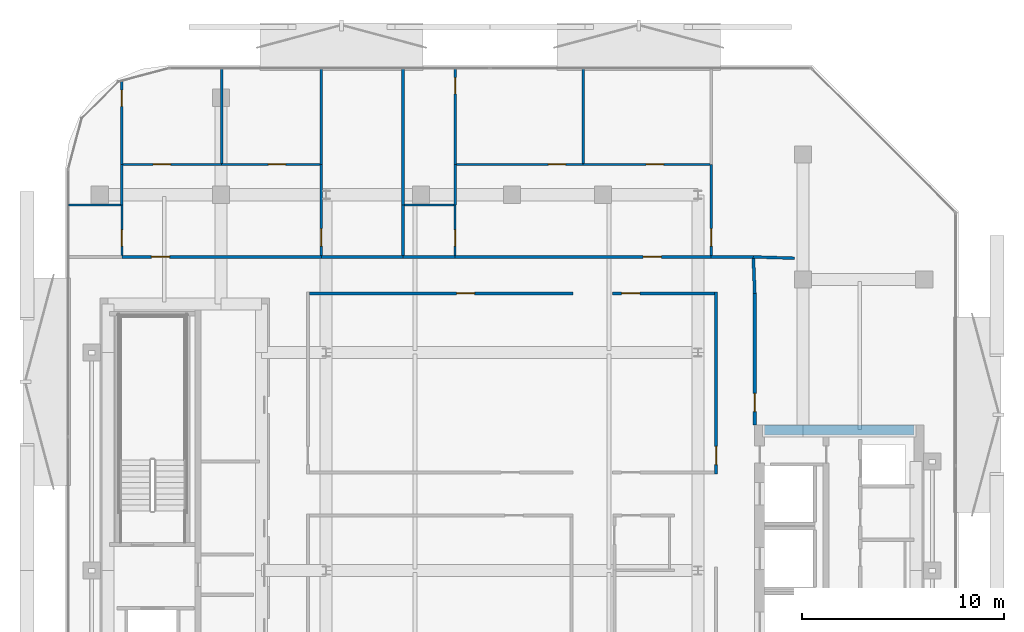
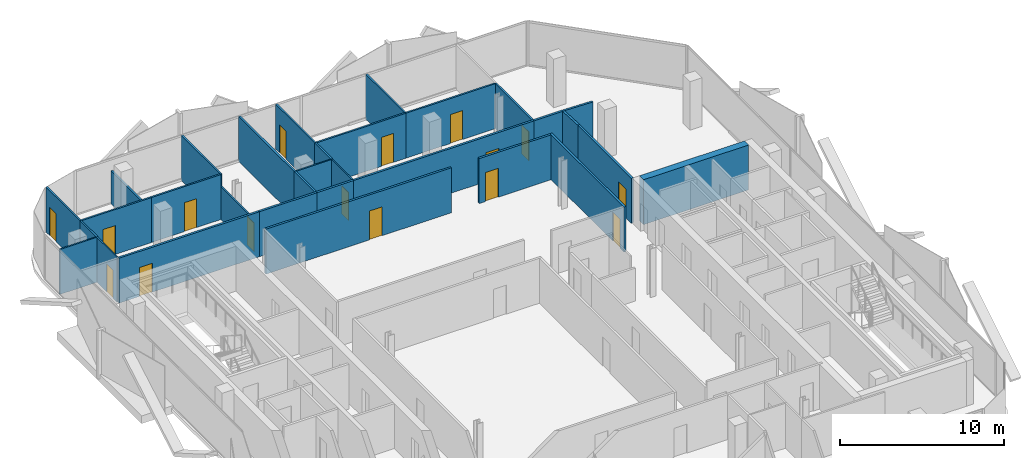
# One storey, part 6 of 15: 31 walls, 16 doors, 16 openings.
"""IFC4 building model written with IfcOpenShell, lengths in metres."""

from ifc_helpers import new_model, si_unit, direction, frame, frame_2d, origin, place, context, subcontext, project, spatial, rectangle, extrude, material, layer, layer_set, type_object, element, fill, save


model = new_model("IFC4")

# Units and contexts
model_context = context("Model", 3, precision=1e-05, world=origin(), true_north=direction((0.0, 1.0)))
body_context = subcontext(model_context, "Body", "Model", "MODEL_VIEW")
ifc_project = project(units=[si_unit("LENGTHUNIT", "METRE"), si_unit("AREAUNIT", "SQUARE_METRE"), si_unit("VOLUMEUNIT", "CUBIC_METRE"), si_unit("PLANEANGLEUNIT", "RADIAN"), si_unit("MASSUNIT", "GRAM", prefix="KILO")], contexts=[model_context])

# Site, building, storey
site_placement = place(None, origin())
site = spatial("IfcSite", under=ifc_project, at=site_placement, CompositionType="ELEMENT")
building_placement = place(site_placement, origin())
building = spatial("IfcBuilding", under=site, at=building_placement, Name="Khairoan Windgate Tower", CompositionType="ELEMENT")
storey_placement = place(building_placement, frame((0.0, 0.0, 254.800048828125)))
storey = spatial("IfcBuildingStorey", under=building, at=storey_placement, Name="L60", CompositionType="ELEMENT", Elevation=254.800048828125)

# Wall
ifc_material_1 = material(Name="Moisture-Resistant Gypsum Partition", Category="gypsum")
ifc_layer_1 = layer(ifc_material_1, 0.10009765625, Name="Moisture-Resistant Gypsum Partition")
ifc_layer_set_1 = layer_set([ifc_layer_1], Name="Moisture-Resistant Gypsum Partition")
wall_type_1 = type_object("IfcWallType", Name="Bathroom Wet-Area Partition Wall", PredefinedType="PARTITIONING", material=ifc_layer_set_1)
wall_1_placement = place(storey_placement, frame((-21.955078125, 18.10009765625, 0.0), z_axis=(0.0, 0.0, 1.0), x_axis=(1.0, 0.0, 0.0)))
element("IfcWall", 1, at=wall_1_placement, inside=storey, type_object=wall_type_1, Name="L60 Interior Partition 041", PredefinedType="PARTITIONING", context=body_context, shape_type="SweptSolid", body=[
    extrude(rectangle(XDim=2.594970703125, YDim=0.10009765625, at=frame_2d((1.29736328125, 0.0))), origin(), (0.0, 0.0, 1.0), 3.33984375),
])

# Wall, opening, door
wall_2_placement = place(storey_placement, frame((-19.31005859375, 15.60009765625, 0.0), z_axis=(0.0, 0.0, 1.0), x_axis=(0.0, 1.0, 0.0)))
wall_2 = element("IfcWall", 2, at=wall_2_placement, inside=storey, type_object=wall_type_1, Name="L60 Interior Partition 042", PredefinedType="PARTITIONING", context=body_context, shape_type="SweptSolid", body=[
    extrude(rectangle(XDim=2.5, YDim=0.10009765625, at=frame_2d((1.25, 0.0))), origin(), (0.0, 0.0, 1.0), 3.33984375),
])
opening_1_placement = place(wall_2_placement, frame((0.4599609375, 0.0, 0.0)))
opening_1 = element("IfcOpeningElement", 3, at=opening_1_placement, cuts=wall_2, Name="Opening ID-BTH", PredefinedType="OPENING", context=body_context, shape_type="SweptSolid", body=[
    extrude(rectangle(XDim=0.800048828125, YDim=2.10009765625, at=frame_2d((0.39990234375, 1.050048828125))), frame((0.0, 0.06005859375, 0.0), z_axis=(0.0, -1.0, 0.0), x_axis=(1.0, 0.0, 0.0)), (0.0, 0.0, 1.0), 0.1201171875),
])
ifc_material_2 = material(Name="Teak Veneer Timber Leaf", Category="wood")
door_type_1 = type_object("IfcDoorType", Name="Internal Bathroom Door ID-BTH 800x2100", OperationType="NOTDEFINED", PredefinedType="DOOR", material=ifc_material_2)
door_1_placement = place(opening_1_placement, origin())
door_1 = element("IfcDoor", 4, at=door_1_placement, inside=storey, type_object=door_type_1, Name="L60 L60-33-L60-35 Door", OperationType="SINGLE_SWING_LEFT", OverallHeight=2.10009765625, OverallWidth=0.800048828125, PredefinedType="DOOR", context=body_context, shape_type="SweptSolid", body=[
    extrude(rectangle(XDim=0.800048828125, YDim=2.10009765625, at=frame_2d((0.39990234375, 1.050048828125))), frame((0.0, 0.02490234375, 0.0), z_axis=(0.0, -1.0, 0.0), x_axis=(1.0, 0.0, 0.0)), (0.0, 0.0, 1.0), 0.050048828125),
])
fill(opening_1, door_1)

# Wall
wall_3_placement = place(storey_placement, frame((-5.330078125, 18.10009765625, 0.0), z_axis=(0.0, 0.0, 1.0), x_axis=(1.0, 0.0, 0.0)))
element("IfcWall", 5, at=wall_3_placement, inside=storey, type_object=wall_type_1, Name="L60 Interior Partition 052", PredefinedType="PARTITIONING", context=body_context, shape_type="SweptSolid", body=[
    extrude(rectangle(XDim=2.469970703125, YDim=0.10009765625, at=frame_2d((1.23486328125, 0.0))), origin(), (0.0, 0.0, 1.0), 3.33984375),
])

# Wall, opening, door
wall_4_placement = place(storey_placement, frame((-2.81005859375, 15.60009765625, 0.0), z_axis=(0.0, 0.0, 1.0), x_axis=(0.0, 1.0, 0.0)))
wall_4 = element("IfcWall", 6, at=wall_4_placement, inside=storey, type_object=wall_type_1, Name="L60 Interior Partition 053", PredefinedType="PARTITIONING", context=body_context, shape_type="SweptSolid", body=[
    extrude(rectangle(XDim=2.5, YDim=0.10009765625, at=frame_2d((1.25, 0.0))), origin(), (0.0, 0.0, 1.0), 3.33984375),
])
opening_2_placement = place(wall_4_placement, frame((0.4599609375, 0.0, 0.0)))
opening_2 = element("IfcOpeningElement", 7, at=opening_2_placement, cuts=wall_4, Name="Opening ID-BTH", PredefinedType="OPENING", context=body_context, shape_type="SweptSolid", body=[
    extrude(rectangle(XDim=0.800048828125, YDim=2.10009765625, at=frame_2d((0.39990234375, 1.050048828125))), frame((0.0, 0.06005859375, 0.0), z_axis=(0.0, -1.0, 0.0), x_axis=(1.0, 0.0, 0.0)), (0.0, 0.0, 1.0), 0.1201171875),
])
door_2_placement = place(opening_2_placement, origin())
door_2 = element("IfcDoor", 8, at=door_2_placement, inside=storey, type_object=door_type_1, Name="L60 L60-39-L60-41 Door", OperationType="SINGLE_SWING_RIGHT", OverallHeight=2.10009765625, OverallWidth=0.800048828125, PredefinedType="DOOR", context=body_context, shape_type="SweptSolid", body=[
    extrude(rectangle(XDim=0.800048828125, YDim=2.10009765625, at=frame_2d((0.39990234375, 1.050048828125))), frame((0.0, 0.02490234375, 0.0), z_axis=(0.0, -1.0, 0.0), x_axis=(1.0, 0.0, 0.0)), (0.0, 0.0, 1.0), 0.050048828125),
])
fill(opening_2, door_2)

# Walls
ifc_material_3 = material(Name="Acoustic Fire-Rated Gypsum Partition", Category="gypsum")
ifc_layer_2 = layer(ifc_material_3, 0.139892578125, Name="Acoustic Fire-Rated Gypsum Partition")
ifc_layer_set_2 = layer_set([ifc_layer_2], Name="Acoustic Fire-Rated Gypsum Partition")
wall_type_2 = type_object("IfcWallType", Name="Inter-Tenancy Compartment Wall", PredefinedType="PARTITIONING", material=ifc_layer_set_2)
wall_5_placement = place(storey_placement, frame((-5.39990234375, 15.60009765625, 0.0), z_axis=(0.0, 0.0, 1.0), x_axis=(0.0, 1.0, 0.0)))
element("IfcWall", 9, at=wall_5_placement, inside=storey, type_object=wall_type_2, Name="L60 Interior Partition 049", PredefinedType="PARTITIONING", context=body_context, shape_type="SweptSolid", body=[
    extrude(rectangle(XDim=2.5, YDim=0.139892578125, at=frame_2d((1.25, 0.0))), origin(), (0.0, 0.0, 1.0), 3.33984375),
])
wall_6_placement = place(storey_placement, frame((-5.39990234375, 18.10009765625, 0.0), z_axis=(0.0, 0.0, 1.0), x_axis=(0.0, 1.0, 0.0)))
element("IfcWall", 10, at=wall_6_placement, inside=storey, type_object=wall_type_2, Name="L60 Interior Partition 050", PredefinedType="PARTITIONING", context=body_context, shape_type="SweptSolid", body=[
    extrude(rectangle(XDim=6.7548828125, YDim=0.139892578125, at=frame_2d((3.37744140625, 0.0))), origin(), (0.0, 0.0, 1.0), 3.33984375),
])
wall_7_placement = place(storey_placement, frame((11.93994140625, 15.52490234375, 0.0), z_axis=(0.0, 0.0, 1.0), x_axis=(0.999493701671, -0.031817295912, 0.0)))
element("IfcWall", 11, at=wall_7_placement, inside=storey, type_object=wall_type_2, Name="L60 Interior Partition 060", PredefinedType="PARTITIONING", context=body_context, shape_type="SweptSolid", body=[
    extrude(rectangle(XDim=2.041015625, YDim=0.139892578125, at=frame_2d((1.0205078125, 0.0))), origin(), (0.0, 0.0, 1.0), 3.33984375),
])
ifc_material_4 = material(Name="Gypsum Stud Partition", Category="gypsum")
ifc_layer_3 = layer(ifc_material_4, 0.1201171875, Name="Gypsum Stud Partition")
ifc_layer_set_3 = layer_set([ifc_layer_3], Name="Gypsum Stud Partition")
wall_type_3 = type_object("IfcWallType", Name="Internal Room Partition Wall", PredefinedType="PARTITIONING", material=ifc_layer_set_3)
wall_8_placement = place(storey_placement, frame((-19.31005859375, 18.10009765625, 0.0), z_axis=(0.0, 0.0, 1.0), x_axis=(0.0, 1.0, 0.0)))
element("IfcWall", 12, at=wall_8_placement, inside=storey, type_object=wall_type_3, Name="L60 Interior Partition 043", PredefinedType="PARTITIONING", context=body_context, shape_type="SweptSolid", body=[
    extrude(rectangle(XDim=2.0, YDim=0.1201171875, at=frame_2d((1.0, 0.0))), origin(), (0.0, 0.0, 1.0), 3.33984375),
])

# Wall, opening, door
wall_9_placement = place(storey_placement, frame((-19.31005859375, 20.10009765625, 0.0), z_axis=(0.0, 0.0, 1.0), x_axis=(0.0, 1.0, 0.0)))
wall_9 = element("IfcWall", 13, at=wall_9_placement, inside=storey, type_object=wall_type_3, Name="L60 Interior Partition 044", PredefinedType="PARTITIONING", context=body_context, shape_type="SweptSolid", body=[
    extrude(rectangle(XDim=4.134521484375, YDim=0.1201171875, at=frame_2d((2.0673828125, 0.0))), origin(), (0.0, 0.0, 1.0), 3.33984375),
])
opening_3_placement = place(wall_9_placement, frame((2.874755859375, 0.0, 0.0)))
opening_3 = element("IfcOpeningElement", 14, at=opening_3_placement, cuts=wall_9, Name="Opening ID-BTH", PredefinedType="OPENING", context=body_context, shape_type="SweptSolid", body=[
    extrude(rectangle(XDim=0.800048828125, YDim=2.10009765625, at=frame_2d((0.39990234375, 1.050048828125))), frame((0.0, 0.070068359375, 0.0), z_axis=(0.0, -1.0, 0.0), x_axis=(1.0, 0.0, 0.0)), (0.0, 0.0, 1.0), 0.14013671875),
])
door_3_placement = place(opening_3_placement, origin())
door_3 = element("IfcDoor", 15, at=door_3_placement, inside=storey, type_object=door_type_1, Name="L60 L60-34-L60-37 Door", OperationType="SINGLE_SWING_LEFT", OverallHeight=2.10009765625, OverallWidth=0.800048828125, PredefinedType="DOOR", context=body_context, shape_type="SweptSolid", body=[
    extrude(rectangle(XDim=0.800048828125, YDim=2.10009765625, at=frame_2d((0.39990234375, 1.050048828125))), frame((0.0, 0.02490234375, 0.0), z_axis=(0.0, -1.0, 0.0), x_axis=(1.0, 0.0, 0.0)), (0.0, 0.0, 1.0), 0.050048828125),
])
fill(opening_3, door_3)

wall_10_placement = place(storey_placement, frame((-9.43994140625, 15.60009765625, 0.0), z_axis=(0.0, 0.0, 1.0), x_axis=(0.0, 1.0, 0.0)))
wall_10 = element("IfcWall", 16, at=wall_10_placement, inside=storey, type_object=wall_type_3, Name="L60 Interior Partition 045", PredefinedType="PARTITIONING", context=body_context, shape_type="SweptSolid", body=[
    extrude(rectangle(XDim=4.5, YDim=0.1201171875, at=frame_2d((2.25, 0.0))), origin(), (0.0, 0.0, 1.0), 2.43994140625),
])
opening_4_placement = place(wall_10_placement, frame((0.4599609375, 0.0, 0.0)))
opening_4 = element("IfcOpeningElement", 17, at=opening_4_placement, cuts=wall_10, Name="Opening ID-RM", PredefinedType="OPENING", context=body_context, shape_type="SweptSolid", body=[
    extrude(rectangle(XDim=0.860107421875, YDim=2.14990234375, at=frame_2d((0.43017578125, 1.074951171875))), frame((0.0, 0.070068359375, 0.0), z_axis=(0.0, -1.0, 0.0), x_axis=(1.0, 0.0, 0.0)), (0.0, 0.0, 1.0), 0.14013671875),
])
ifc_material_5 = material(Name="Teak Veneer Timber Leaf", Category="wood")
door_type_2 = type_object("IfcDoorType", Name="Internal Bedroom and Office Door ID-RM 860x2150", OperationType="NOTDEFINED", PredefinedType="DOOR", material=ifc_material_5)
door_4_placement = place(opening_4_placement, origin())
door_4 = element("IfcDoor", 18, at=door_4_placement, inside=storey, type_object=door_type_2, Name="L60 L60-35-L60-36 Door", OperationType="SINGLE_SWING_LEFT", OverallHeight=2.14990234375, OverallWidth=0.860107421875, PredefinedType="DOOR", context=body_context, shape_type="SweptSolid", body=[
    extrude(rectangle(XDim=0.860107421875, YDim=2.14990234375, at=frame_2d((0.43017578125, 1.074951171875))), frame((0.0, 0.02490234375, 0.0), z_axis=(0.0, -1.0, 0.0), x_axis=(1.0, 0.0, 0.0)), (0.0, 0.0, 1.0), 0.050048828125),
])
fill(opening_4, door_4)

wall_11_placement = place(storey_placement, frame((-19.25, 20.10009765625, 0.0), z_axis=(0.0, 0.0, 1.0), x_axis=(1.0, 0.0, 0.0)))
wall_11 = element("IfcWall", 19, at=wall_11_placement, inside=storey, type_object=wall_type_3, Name="L60 Interior Partition 046", PredefinedType="PARTITIONING", context=body_context, shape_type="SweptSolid", body=[
    extrude(rectangle(XDim=4.875, YDim=0.1201171875, at=frame_2d((2.4375, 0.0))), origin(), (0.0, 0.0, 1.0), 3.33984375),
])
opening_5_placement = place(wall_11_placement, frame((1.49169921875, 0.0, 0.0)))
opening_5 = element("IfcOpeningElement", 20, at=opening_5_placement, cuts=wall_11, Name="Opening ID-RM", PredefinedType="OPENING", context=body_context, shape_type="SweptSolid", body=[
    extrude(rectangle(XDim=0.860107421875, YDim=2.14990234375, at=frame_2d((0.43017578125, 1.074951171875))), frame((0.0, 0.070068359375, 0.0), z_axis=(0.0, -1.0, 0.0), x_axis=(1.0, 0.0, 0.0)), (0.0, 0.0, 1.0), 0.14013671875),
])
door_5_placement = place(opening_5_placement, origin())
door_5 = element("IfcDoor", 21, at=door_5_placement, inside=storey, type_object=door_type_2, Name="L60 L60-35-L60-37 Door", OperationType="SINGLE_SWING_RIGHT", OverallHeight=2.14990234375, OverallWidth=0.860107421875, PredefinedType="DOOR", context=body_context, shape_type="SweptSolid", body=[
    extrude(rectangle(XDim=0.860107421875, YDim=2.14990234375, at=frame_2d((0.43017578125, 1.074951171875))), frame((0.0, 0.02490234375, 0.0), z_axis=(0.0, -1.0, 0.0), x_axis=(1.0, 0.0, 0.0)), (0.0, 0.0, 1.0), 0.050048828125),
])
fill(opening_5, door_5)

wall_12_placement = place(storey_placement, frame((-14.375, 20.10009765625, 0.0), z_axis=(0.0, 0.0, 1.0), x_axis=(1.0, 0.0, 0.0)))
wall_12 = element("IfcWall", 22, at=wall_12_placement, inside=storey, type_object=wall_type_3, Name="L60 Interior Partition 047", PredefinedType="PARTITIONING", context=body_context, shape_type="SweptSolid", body=[
    extrude(rectangle(XDim=4.875, YDim=0.1201171875, at=frame_2d((2.4375, 0.0))), origin(), (0.0, 0.0, 1.0), 3.33984375),
])
opening_6_placement = place(wall_12_placement, frame((2.31689453125, 0.0, 0.0)))
opening_6 = element("IfcOpeningElement", 23, at=opening_6_placement, cuts=wall_12, Name="Opening ID-RM", PredefinedType="OPENING", context=body_context, shape_type="SweptSolid", body=[
    extrude(rectangle(XDim=0.860107421875, YDim=2.14990234375, at=frame_2d((0.43017578125, 1.074951171875))), frame((0.0, 0.070068359375, 0.0), z_axis=(0.0, -1.0, 0.0), x_axis=(1.0, 0.0, 0.0)), (0.0, 0.0, 1.0), 0.14013671875),
])
door_6_placement = place(opening_6_placement, origin())
door_6 = element("IfcDoor", 24, at=door_6_placement, inside=storey, type_object=door_type_2, Name="L60 L60-35-L60-38 Door", OperationType="SINGLE_SWING_LEFT", OverallHeight=2.14990234375, OverallWidth=0.860107421875, PredefinedType="DOOR", context=body_context, shape_type="SweptSolid", body=[
    extrude(rectangle(XDim=0.860107421875, YDim=2.14990234375, at=frame_2d((0.43017578125, 1.074951171875))), frame((0.0, 0.02490234375, 0.0), z_axis=(0.0, -1.0, 0.0), x_axis=(1.0, 0.0, 0.0)), (0.0, 0.0, 1.0), 0.050048828125),
])
fill(opening_6, door_6)

# Walls
wall_13_placement = place(storey_placement, frame((-9.43994140625, 20.10009765625, 0.0), z_axis=(0.0, 0.0, 1.0), x_axis=(0.0, 1.0, 0.0)))
element("IfcWall", 25, at=wall_13_placement, inside=storey, type_object=wall_type_3, Name="L60 Interior Partition 048", PredefinedType="PARTITIONING", context=body_context, shape_type="SweptSolid", body=[
    extrude(rectangle(XDim=4.7548828125, YDim=0.1201171875, at=frame_2d((2.37744140625, 0.0))), origin(), (0.0, 0.0, 1.0), 3.33984375),
])
wall_14_placement = place(storey_placement, frame((-14.375, 20.159912109375, 0.0), z_axis=(0.0, 0.0, 1.0), x_axis=(0.0, 1.0, 0.0)))
element("IfcWall", 26, at=wall_14_placement, inside=storey, type_object=wall_type_3, Name="L60 Interior Partition 051", PredefinedType="PARTITIONING", context=body_context, shape_type="SweptSolid", body=[
    extrude(rectangle(XDim=4.695068359375, YDim=0.1201171875, at=frame_2d((2.34765625, 0.0))), origin(), (0.0, 0.0, 1.0), 2.43994140625),
])
wall_15_placement = place(storey_placement, frame((-2.81005859375, 18.10009765625, 0.0), z_axis=(0.0, 0.0, 1.0), x_axis=(0.0, 1.0, 0.0)))
element("IfcWall", 27, at=wall_15_placement, inside=storey, type_object=wall_type_3, Name="L60 Interior Partition 054", PredefinedType="PARTITIONING", context=body_context, shape_type="SweptSolid", body=[
    extrude(rectangle(XDim=2.0, YDim=0.1201171875, at=frame_2d((1.0, 0.0))), origin(), (0.0, 0.0, 1.0), 3.33984375),
])

# Wall, opening, door
wall_16_placement = place(storey_placement, frame((-2.81005859375, 20.10009765625, 0.0), z_axis=(0.0, 0.0, 1.0), x_axis=(0.0, 1.0, 0.0)))
wall_16 = element("IfcWall", 28, at=wall_16_placement, inside=storey, type_object=wall_type_3, Name="L60 Interior Partition 055", PredefinedType="PARTITIONING", context=body_context, shape_type="SweptSolid", body=[
    extrude(rectangle(XDim=4.7548828125, YDim=0.1201171875, at=frame_2d((2.37744140625, 0.0))), origin(), (0.0, 0.0, 1.0), 3.33984375),
])
opening_7_placement = place(wall_16_placement, frame((3.4951171875, 0.0, 0.0)))
opening_7 = element("IfcOpeningElement", 29, at=opening_7_placement, cuts=wall_16, Name="Opening ID-BTH", PredefinedType="OPENING", context=body_context, shape_type="SweptSolid", body=[
    extrude(rectangle(XDim=0.800048828125, YDim=2.10009765625, at=frame_2d((0.39990234375, 1.050048828125))), frame((0.0, 0.070068359375, 0.0), z_axis=(0.0, -1.0, 0.0), x_axis=(1.0, 0.0, 0.0)), (0.0, 0.0, 1.0), 0.14013671875),
])
door_7_placement = place(opening_7_placement, origin())
door_7 = element("IfcDoor", 30, at=door_7_placement, inside=storey, type_object=door_type_1, Name="L60 L60-40-L60-43 Door", OperationType="SINGLE_SWING_RIGHT", OverallHeight=2.10009765625, OverallWidth=0.800048828125, PredefinedType="DOOR", context=body_context, shape_type="SweptSolid", body=[
    extrude(rectangle(XDim=0.800048828125, YDim=2.10009765625, at=frame_2d((0.39990234375, 1.050048828125))), frame((0.0, 0.02490234375, 0.0), z_axis=(0.0, -1.0, 0.0), x_axis=(1.0, 0.0, 0.0)), (0.0, 0.0, 1.0), 0.050048828125),
])
fill(opening_7, door_7)

wall_17_placement = place(storey_placement, frame((9.860107421875, 15.60009765625, 0.0), z_axis=(0.0, 0.0, 1.0), x_axis=(0.0, 1.0, 0.0)))
wall_17 = element("IfcWall", 31, at=wall_17_placement, inside=storey, type_object=wall_type_3, Name="L60 Interior Partition 056", PredefinedType="PARTITIONING", context=body_context, shape_type="SweptSolid", body=[
    extrude(rectangle(XDim=4.5, YDim=0.1201171875, at=frame_2d((2.25, 0.0))), origin(), (0.0, 0.0, 1.0), 3.33984375),
])
opening_8_placement = place(wall_17_placement, frame((0.4599609375, 0.0, 0.0)))
opening_8 = element("IfcOpeningElement", 32, at=opening_8_placement, cuts=wall_17, Name="Opening ID-RM", PredefinedType="OPENING", context=body_context, shape_type="SweptSolid", body=[
    extrude(rectangle(XDim=0.860107421875, YDim=2.14990234375, at=frame_2d((0.43017578125, 1.074951171875))), frame((0.0, 0.070068359375, 0.0), z_axis=(0.0, -1.0, 0.0), x_axis=(1.0, 0.0, 0.0)), (0.0, 0.0, 1.0), 0.14013671875),
])
door_8_placement = place(opening_8_placement, origin())
door_8 = element("IfcDoor", 33, at=door_8_placement, inside=storey, type_object=door_type_2, Name="L60 L60-41-L60-42 Door", OperationType="SINGLE_SWING_RIGHT", OverallHeight=2.14990234375, OverallWidth=0.860107421875, PredefinedType="DOOR", context=body_context, shape_type="SweptSolid", body=[
    extrude(rectangle(XDim=0.860107421875, YDim=2.14990234375, at=frame_2d((0.43017578125, 1.074951171875))), frame((0.0, 0.02490234375, 0.0), z_axis=(0.0, -1.0, 0.0), x_axis=(1.0, 0.0, 0.0)), (0.0, 0.0, 1.0), 0.050048828125),
])
fill(opening_8, door_8)

wall_18_placement = place(storey_placement, frame((-2.75, 20.10009765625, 0.0), z_axis=(0.0, 0.0, 1.0), x_axis=(1.0, 0.0, 0.0)))
wall_18 = element("IfcWall", 34, at=wall_18_placement, inside=storey, type_object=wall_type_3, Name="L60 Interior Partition 057", PredefinedType="PARTITIONING", context=body_context, shape_type="SweptSolid", body=[
    extrude(rectangle(XDim=6.27490234375, YDim=0.1201171875, at=frame_2d((3.137451171875, 0.0))), origin(), (0.0, 0.0, 1.0), 3.33984375),
])
opening_9_placement = place(wall_18_placement, frame((4.54638671875, 0.0, 0.0)))
opening_9 = element("IfcOpeningElement", 35, at=opening_9_placement, cuts=wall_18, Name="Opening ID-RM", PredefinedType="OPENING", context=body_context, shape_type="SweptSolid", body=[
    extrude(rectangle(XDim=0.860107421875, YDim=2.14990234375, at=frame_2d((0.43017578125, 1.074951171875))), frame((0.0, 0.070068359375, 0.0), z_axis=(0.0, -1.0, 0.0), x_axis=(1.0, 0.0, 0.0)), (0.0, 0.0, 1.0), 0.14013671875),
])
door_9_placement = place(opening_9_placement, origin())
door_9 = element("IfcDoor", 36, at=door_9_placement, inside=storey, type_object=door_type_2, Name="L60 L60-41-L60-43 Door", OperationType="SINGLE_SWING_LEFT", OverallHeight=2.14990234375, OverallWidth=0.860107421875, PredefinedType="DOOR", context=body_context, shape_type="SweptSolid", body=[
    extrude(rectangle(XDim=0.860107421875, YDim=2.14990234375, at=frame_2d((0.43017578125, 1.074951171875))), frame((0.0, 0.02490234375, 0.0), z_axis=(0.0, -1.0, 0.0), x_axis=(1.0, 0.0, 0.0)), (0.0, 0.0, 1.0), 0.050048828125),
])
fill(opening_9, door_9)

wall_19_placement = place(storey_placement, frame((3.52490234375, 20.10009765625, 0.0), z_axis=(0.0, 0.0, 1.0), x_axis=(1.0, 0.0, 0.0)))
wall_19 = element("IfcWall", 37, at=wall_19_placement, inside=storey, type_object=wall_type_3, Name="L60 Interior Partition 058", PredefinedType="PARTITIONING", context=body_context, shape_type="SweptSolid", body=[
    extrude(rectangle(XDim=6.275146484375, YDim=0.1201171875, at=frame_2d((3.1376953125, 0.0))), origin(), (0.0, 0.0, 1.0), 3.33984375),
])
opening_10_placement = place(wall_19_placement, frame((3.1162109375, 0.0, 0.0)))
opening_10 = element("IfcOpeningElement", 38, at=opening_10_placement, cuts=wall_19, Name="Opening ID-RM", PredefinedType="OPENING", context=body_context, shape_type="SweptSolid", body=[
    extrude(rectangle(XDim=0.860107421875, YDim=2.14990234375, at=frame_2d((0.43017578125, 1.074951171875))), frame((0.0, 0.070068359375, 0.0), z_axis=(0.0, -1.0, 0.0), x_axis=(1.0, 0.0, 0.0)), (0.0, 0.0, 1.0), 0.14013671875),
])
door_10_placement = place(opening_10_placement, origin())
door_10 = element("IfcDoor", 39, at=door_10_placement, inside=storey, type_object=door_type_2, Name="L60 L60-41-L60-44 Door", OperationType="SINGLE_SWING_RIGHT", OverallHeight=2.14990234375, OverallWidth=0.860107421875, PredefinedType="DOOR", context=body_context, shape_type="SweptSolid", body=[
    extrude(rectangle(XDim=0.860107421875, YDim=2.14990234375, at=frame_2d((0.43017578125, 1.074951171875))), frame((0.0, 0.02490234375, 0.0), z_axis=(0.0, -1.0, 0.0), x_axis=(1.0, 0.0, 0.0)), (0.0, 0.0, 1.0), 0.050048828125),
])
fill(opening_10, door_10)

# Wall
wall_20_placement = place(storey_placement, frame((3.52490234375, 20.159912109375, 0.0), z_axis=(0.0, 0.0, 1.0), x_axis=(0.0, 1.0, 0.0)))
element("IfcWall", 40, at=wall_20_placement, inside=storey, type_object=wall_type_3, Name="L60 Interior Partition 061", PredefinedType="PARTITIONING", context=body_context, shape_type="SweptSolid", body=[
    extrude(rectangle(XDim=4.695068359375, YDim=0.1201171875, at=frame_2d((2.34765625, 0.0))), origin(), (0.0, 0.0, 1.0), 3.33984375),
])

# Wall, opening, door
ifc_material_6 = material(Name="Acoustic Fire-Rated Gypsum Partition", Category="gypsum")
ifc_layer_4 = layer(ifc_material_6, 0.14990234375, Name="Acoustic Fire-Rated Gypsum Partition")
ifc_layer_set_4 = layer_set([ifc_layer_4], Name="Acoustic Fire-Rated Gypsum Partition")
wall_type_4 = type_object("IfcWallType", Name="Rated Corridor Partition Wall", PredefinedType="PARTITIONING", material=ifc_layer_set_4)
wall_21_placement = place(storey_placement, frame((12.014892578125, 7.199951171875, 0.0), z_axis=(0.0, 0.0, 1.0), x_axis=(0.0, 1.0, 0.0)))
wall_21 = element("IfcWall", 41, at=wall_21_placement, inside=storey, type_object=wall_type_4, Name="L60 Interior Partition 014", PredefinedType="PARTITIONING", context=body_context, shape_type="SweptSolid", body=[
    extrude(rectangle(XDim=6.52001953125, YDim=0.14990234375, at=frame_2d((3.260009765625, 0.0))), origin(), (0.0, 0.0, 1.0), 3.33984375),
])
opening_11_placement = place(wall_21_placement, frame((0.669921875, 0.0, 0.0)))
opening_11 = element("IfcOpeningElement", 42, at=opening_11_placement, cuts=wall_21, Name="Opening FD-ENT", PredefinedType="OPENING", context=body_context, shape_type="SweptSolid", body=[
    extrude(rectangle(XDim=0.89990234375, YDim=2.14990234375, at=frame_2d((0.449951171875, 1.074951171875))), frame((0.0, 0.0849609375, 0.0), z_axis=(0.0, -1.0, 0.0), x_axis=(1.0, 0.0, 0.0)), (0.0, 0.0, 1.0), 0.169921875),
])
ifc_material_7 = material(Name="Timber Fire-Rated Core", Category="wood")
door_type_3 = type_object("IfcDoorType", Name="Unit and Office Fire Entrance Door FD-ENT 900x2150", OperationType="NOTDEFINED", PredefinedType="DOOR", material=ifc_material_7)
door_11_placement = place(opening_11_placement, origin())
door_11 = element("IfcDoor", 43, at=door_11_placement, inside=storey, type_object=door_type_3, Name="L60 L60-28-L60-59 Door", OperationType="SINGLE_SWING_LEFT", OverallHeight=2.14990234375, OverallWidth=0.89990234375, PredefinedType="DOOR", context=body_context, shape_type="SweptSolid", body=[
    extrude(rectangle(XDim=0.89990234375, YDim=2.14990234375, at=frame_2d((0.449951171875, 1.074951171875))), frame((0.0, 0.02490234375, 0.0), z_axis=(0.0, -1.0, 0.0), x_axis=(1.0, 0.0, 0.0)), (0.0, 0.0, 1.0), 0.050048828125),
])
fill(opening_11, door_11)

wall_22_placement = place(storey_placement, frame((10.10009765625, 4.7900390625, 0.0), z_axis=(0.0, 0.0, 1.0), x_axis=(0.0, 1.0, 0.0)))
wall_22 = element("IfcWall", 44, at=wall_22_placement, inside=storey, type_object=wall_type_4, Name="L60 Interior Partition 015", PredefinedType="PARTITIONING", context=body_context, shape_type="SweptSolid", body=[
    extrude(rectangle(XDim=9.0048828125, YDim=0.14990234375, at=frame_2d((4.50244140625, 0.0))), origin(), (0.0, 0.0, 1.0), 3.33984375),
])
opening_12_placement = place(wall_22_placement, frame((0.4599609375, 0.0, 0.0)))
opening_12 = element("IfcOpeningElement", 45, at=opening_12_placement, cuts=wall_22, Name="Opening FD-ENT", PredefinedType="OPENING", context=body_context, shape_type="SweptSolid", body=[
    extrude(rectangle(XDim=0.89990234375, YDim=2.14990234375, at=frame_2d((0.449951171875, 1.074951171875))), frame((0.0, 0.0849609375, 0.0), z_axis=(0.0, -1.0, 0.0), x_axis=(1.0, 0.0, 0.0)), (0.0, 0.0, 1.0), 0.169921875),
])
door_12_placement = place(opening_12_placement, origin())
door_12 = element("IfcDoor", 46, at=door_12_placement, inside=storey, type_object=door_type_3, Name="L60 L60-28-L60-62 Door", OperationType="SINGLE_SWING_RIGHT", OverallHeight=2.14990234375, OverallWidth=0.89990234375, PredefinedType="DOOR", context=body_context, shape_type="SweptSolid", body=[
    extrude(rectangle(XDim=0.89990234375, YDim=2.14990234375, at=frame_2d((0.449951171875, 1.074951171875))), frame((0.0, 0.02490234375, 0.0), z_axis=(0.0, -1.0, 0.0), x_axis=(1.0, 0.0, 0.0)), (0.0, 0.0, 1.0), 0.050048828125),
])
fill(opening_12, door_12)

wall_23_placement = place(storey_placement, frame((-19.31005859375, 15.52490234375, 0.0), z_axis=(0.0, 0.0, 1.0), x_axis=(1.0, 0.0, 0.0)))
wall_23 = element("IfcWall", 47, at=wall_23_placement, inside=storey, type_object=wall_type_4, Name="L60 Interior Partition 025", PredefinedType="PARTITIONING", context=body_context, shape_type="SweptSolid", body=[
    extrude(rectangle(XDim=9.8701171875, YDim=0.14990234375, at=frame_2d((4.93505859375, 0.0))), origin(), (0.0, 0.0, 1.0), 3.33984375),
])
opening_13_placement = place(wall_23_placement, frame((1.46630859375, 0.0, 0.0)))
opening_13 = element("IfcOpeningElement", 48, at=opening_13_placement, cuts=wall_23, Name="Opening FD-ENT", PredefinedType="OPENING", context=body_context, shape_type="SweptSolid", body=[
    extrude(rectangle(XDim=0.89990234375, YDim=2.14990234375, at=frame_2d((0.449951171875, 1.074951171875))), frame((0.0, 0.0849609375, 0.0), z_axis=(0.0, -1.0, 0.0), x_axis=(1.0, 0.0, 0.0)), (0.0, 0.0, 1.0), 0.169921875),
])
door_13_placement = place(opening_13_placement, origin())
door_13 = element("IfcDoor", 49, at=door_13_placement, inside=storey, type_object=door_type_3, Name="L60 L60-31-L60-35 Door", OperationType="SINGLE_SWING_LEFT", OverallHeight=2.14990234375, OverallWidth=0.89990234375, PredefinedType="DOOR", context=body_context, shape_type="SweptSolid", body=[
    extrude(rectangle(XDim=0.89990234375, YDim=2.14990234375, at=frame_2d((0.449951171875, 1.074951171875))), frame((0.0, 0.02490234375, 0.0), z_axis=(0.0, -1.0, 0.0), x_axis=(1.0, 0.0, 0.0)), (0.0, 0.0, 1.0), 0.050048828125),
])
fill(opening_13, door_13)

# Walls
wall_24_placement = place(storey_placement, frame((-9.43994140625, 15.52490234375, 0.0), z_axis=(0.0, 0.0, 1.0), x_axis=(1.0, 0.0, 0.0)))
element("IfcWall", 50, at=wall_24_placement, inside=storey, type_object=wall_type_4, Name="L60 Interior Partition 026", PredefinedType="PARTITIONING", context=body_context, shape_type="SweptSolid", body=[
    extrude(rectangle(XDim=4.0400390625, YDim=0.14990234375, at=frame_2d((2.02001953125, 0.0))), origin(), (0.0, 0.0, 1.0), 3.33984375),
])
wall_25_placement = place(storey_placement, frame((-5.39990234375, 15.52490234375, 0.0), z_axis=(0.0, 0.0, 1.0), x_axis=(1.0, 0.0, 0.0)))
element("IfcWall", 51, at=wall_25_placement, inside=storey, type_object=wall_type_4, Name="L60 Interior Partition 027", PredefinedType="PARTITIONING", context=body_context, shape_type="SweptSolid", body=[
    extrude(rectangle(XDim=2.58984375, YDim=0.14990234375, at=frame_2d((1.294921875, 0.0))), origin(), (0.0, 0.0, 1.0), 3.33984375),
])

# Wall, opening, door
wall_26_placement = place(storey_placement, frame((-2.81005859375, 15.52490234375, 0.0), z_axis=(0.0, 0.0, 1.0), x_axis=(1.0, 0.0, 0.0)))
wall_26 = element("IfcWall", 52, at=wall_26_placement, inside=storey, type_object=wall_type_4, Name="L60 Interior Partition 028", PredefinedType="PARTITIONING", context=body_context, shape_type="SweptSolid", body=[
    extrude(rectangle(XDim=12.670166015625, YDim=0.14990234375, at=frame_2d((6.3349609375, 0.0))), origin(), (0.0, 0.0, 1.0), 3.33984375),
])
opening_14_placement = place(wall_26_placement, frame((9.30078125, 0.0, 0.0)))
opening_14 = element("IfcOpeningElement", 53, at=opening_14_placement, cuts=wall_26, Name="Opening FD-ENT", PredefinedType="OPENING", context=body_context, shape_type="SweptSolid", body=[
    extrude(rectangle(XDim=0.89990234375, YDim=2.14990234375, at=frame_2d((0.449951171875, 1.074951171875))), frame((0.0, 0.0849609375, 0.0), z_axis=(0.0, -1.0, 0.0), x_axis=(1.0, 0.0, 0.0)), (0.0, 0.0, 1.0), 0.169921875),
])
door_14_placement = place(opening_14_placement, origin())
door_14 = element("IfcDoor", 54, at=door_14_placement, inside=storey, type_object=door_type_3, Name="L60 L60-31-L60-41 Door", OperationType="SINGLE_SWING_RIGHT", OverallHeight=2.14990234375, OverallWidth=0.89990234375, PredefinedType="DOOR", context=body_context, shape_type="SweptSolid", body=[
    extrude(rectangle(XDim=0.89990234375, YDim=2.14990234375, at=frame_2d((0.449951171875, 1.074951171875))), frame((0.0, 0.02490234375, 0.0), z_axis=(0.0, -1.0, 0.0), x_axis=(1.0, 0.0, 0.0)), (0.0, 0.0, 1.0), 0.050048828125),
])
fill(opening_14, door_14)

# Walls
wall_27_placement = place(storey_placement, frame((9.860107421875, 15.52490234375, 0.0), z_axis=(0.0, 0.0, 1.0), x_axis=(1.0, 0.0, 0.0)))
element("IfcWall", 55, at=wall_27_placement, inside=storey, type_object=wall_type_4, Name="L60 Interior Partition 029", PredefinedType="PARTITIONING", context=body_context, shape_type="SweptSolid", body=[
    extrude(rectangle(XDim=2.079833984375, YDim=0.14990234375, at=frame_2d((1.0400390625, 0.0))), origin(), (0.0, 0.0, 1.0), 3.33984375),
])
wall_28_placement = place(storey_placement, frame((12.014892578125, 13.719970703125, 0.0), z_axis=(0.0, 0.0, 1.0), x_axis=(-0.040046877756, 0.99919780203, 0.0)))
element("IfcWall", 56, at=wall_28_placement, inside=storey, type_object=wall_type_4, Name="L60 Interior Partition 030", PredefinedType="PARTITIONING", context=body_context, shape_type="SweptSolid", body=[
    extrude(rectangle(XDim=1.7314453125, YDim=0.14990234375, at=frame_2d((0.86572265625, 0.0))), origin(), (0.0, 0.0, 1.0), 3.33984375),
])

# Wall, opening, door
wall_29_placement = place(storey_placement, frame((-10.02490234375, 13.719970703125, 0.0), z_axis=(0.0, 0.0, 1.0), x_axis=(1.0, 0.0, 0.0)))
wall_29 = element("IfcWall", 57, at=wall_29_placement, inside=storey, type_object=wall_type_4, Name="L60 Interior Partition 031", PredefinedType="PARTITIONING", context=body_context, shape_type="SweptSolid", body=[
    extrude(rectangle(XDim=13.054931640625, YDim=0.14990234375, at=frame_2d((6.52734375, 0.0))), origin(), (0.0, 0.0, 1.0), 3.33984375),
])
opening_15_placement = place(wall_29_placement, frame((7.28125, 0.0, 0.0)))
opening_15 = element("IfcOpeningElement", 58, at=opening_15_placement, cuts=wall_29, Name="Opening FD-ENT", PredefinedType="OPENING", context=body_context, shape_type="SweptSolid", body=[
    extrude(rectangle(XDim=0.89990234375, YDim=2.14990234375, at=frame_2d((0.449951171875, 1.074951171875))), frame((0.0, 0.0849609375, 0.0), z_axis=(0.0, -1.0, 0.0), x_axis=(1.0, 0.0, 0.0)), (0.0, 0.0, 1.0), 0.169921875),
])
door_15_placement = place(opening_15_placement, origin())
door_15 = element("IfcDoor", 59, at=door_15_placement, inside=storey, type_object=door_type_3, Name="L60 L60-31-L60-60 Door", OperationType="SINGLE_SWING_RIGHT", OverallHeight=2.14990234375, OverallWidth=0.89990234375, PredefinedType="DOOR", context=body_context, shape_type="SweptSolid", body=[
    extrude(rectangle(XDim=0.89990234375, YDim=2.14990234375, at=frame_2d((0.449951171875, 1.074951171875))), frame((0.0, 0.02490234375, 0.0), z_axis=(0.0, -1.0, 0.0), x_axis=(1.0, 0.0, 0.0)), (0.0, 0.0, 1.0), 0.050048828125),
])
fill(opening_15, door_15)

wall_30_placement = place(storey_placement, frame((4.969970703125, 13.719970703125, 0.0), z_axis=(0.0, 0.0, 1.0), x_axis=(1.0, 0.0, 0.0)))
wall_30 = element("IfcWall", 60, at=wall_30_placement, inside=storey, type_object=wall_type_4, Name="L60 Interior Partition 032", PredefinedType="PARTITIONING", context=body_context, shape_type="SweptSolid", body=[
    extrude(rectangle(XDim=5.054931640625, YDim=0.14990234375, at=frame_2d((2.52734375, 0.0))), origin(), (0.0, 0.0, 1.0), 3.33984375),
])
opening_16_placement = place(wall_30_placement, frame((0.4599609375, 0.0, 0.0)))
opening_16 = element("IfcOpeningElement", 61, at=opening_16_placement, cuts=wall_30, Name="Opening FD-ENT", PredefinedType="OPENING", context=body_context, shape_type="SweptSolid", body=[
    extrude(rectangle(XDim=0.89990234375, YDim=2.14990234375, at=frame_2d((0.449951171875, 1.074951171875))), frame((0.0, 0.0849609375, 0.0), z_axis=(0.0, -1.0, 0.0), x_axis=(1.0, 0.0, 0.0)), (0.0, 0.0, 1.0), 0.169921875),
])
door_16_placement = place(opening_16_placement, origin())
door_16 = element("IfcDoor", 62, at=door_16_placement, inside=storey, type_object=door_type_3, Name="L60 L60-31-L60-62 Door", OperationType="SINGLE_SWING_LEFT", OverallHeight=2.14990234375, OverallWidth=0.89990234375, PredefinedType="DOOR", context=body_context, shape_type="SweptSolid", body=[
    extrude(rectangle(XDim=0.89990234375, YDim=2.14990234375, at=frame_2d((0.449951171875, 1.074951171875))), frame((0.0, 0.02490234375, 0.0), z_axis=(0.0, -1.0, 0.0), x_axis=(1.0, 0.0, 0.0)), (0.0, 0.0, 1.0), 0.050048828125),
])
fill(opening_16, door_16)

# Wall
ifc_material_8 = material(Name="Concrete C50/60", Category="concrete")
ifc_layer_5 = layer(ifc_material_8, 0.5, Name="Concrete C50/60")
ifc_layer_set_5 = layer_set([ifc_layer_5], Name="Concrete C50/60")
wall_type_5 = type_object("IfcWallType", Name="Shear Wall CW-E3 500mm", PredefinedType="SHEAR", material=ifc_layer_set_5)
wall_31_placement = place(storey_placement, frame((12.5, 6.949951171875, 0.0), z_axis=(0.0, 0.0, 1.0), x_axis=(1.0, 0.0, 0.0)))
element("IfcWall", 63, at=wall_31_placement, inside=storey, type_object=wall_type_5, Name="E Core North Shear Wall L60", PredefinedType="SHEAR", context=body_context, shape_type="SweptSolid", body=[
    extrude(rectangle(XDim=7.39990234375, YDim=0.5, at=frame_2d((3.699951171875, 0.0))), origin(), (0.0, 0.0, 1.0), 3.33984375),
])

save(model, "model.ifc")
